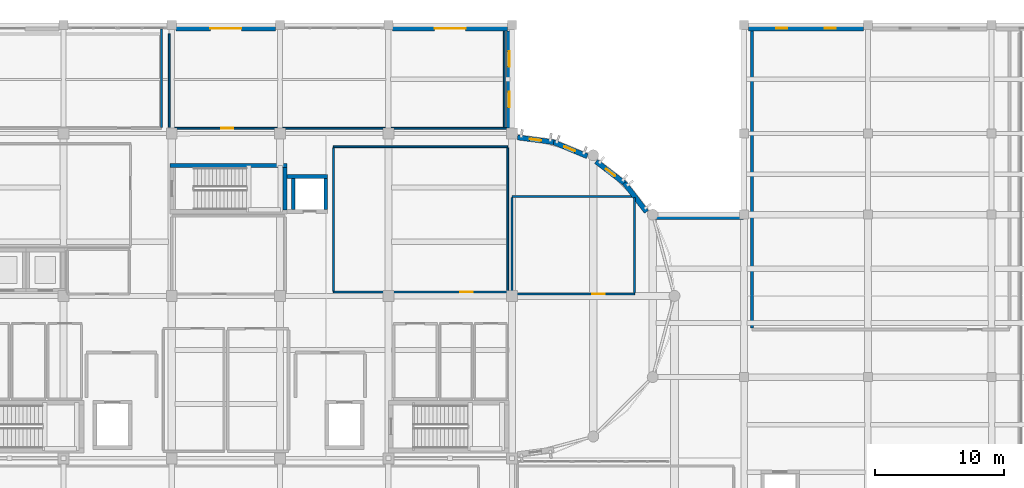
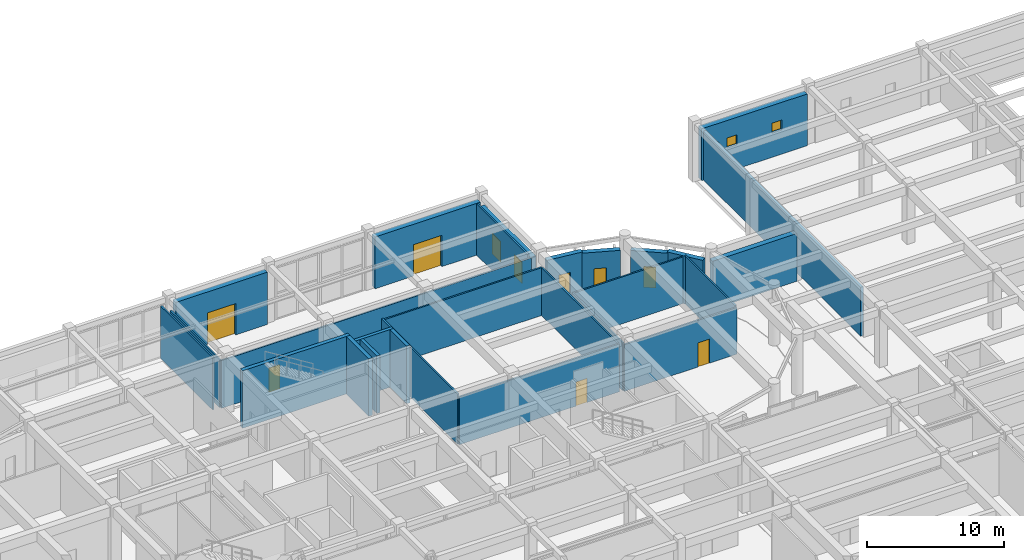
# One storey, part 75 of 98: 27 walls, 7 windows, 5 doors, 12 openings.
"""IFC4 building model written with IfcOpenShell, lengths in metres."""

from ifc_helpers import new_model, si_unit, direction, frame, frame_2d, origin, place, context, subcontext, project, spatial, rectangle, extrude, material, layer, layer_set, type_object, element, fill, save


model = new_model("IFC4")

# Units and contexts
model_context = context("Model", 3, precision=1e-05, world=origin(), true_north=direction((0.0, 1.0)))
body_context = subcontext(model_context, "Body", "Model", "MODEL_VIEW")
ifc_project = project(units=[si_unit("LENGTHUNIT", "METRE"), si_unit("AREAUNIT", "SQUARE_METRE"), si_unit("VOLUMEUNIT", "CUBIC_METRE"), si_unit("PLANEANGLEUNIT", "RADIAN"), si_unit("MASSUNIT", "GRAM", prefix="KILO")], contexts=[model_context])

# Site, building, storey
site_placement = place(None, origin())
site = spatial("IfcSite", under=ifc_project, at=site_placement, CompositionType="ELEMENT")
building_placement = place(site_placement, origin())
building = spatial("IfcBuilding", under=site, at=building_placement, Name="Tarnavel Promenade Courthouse", CompositionType="ELEMENT")
storey_placement = place(building_placement, origin())
storey = spatial("IfcBuildingStorey", under=building, at=storey_placement, Name="L01", CompositionType="ELEMENT", Elevation=0.0)

# Wall, openings, windows
ifc_material_1 = material(Name="Concrete C40/50", Category="concrete")
ifc_layer_1 = layer(ifc_material_1, 0.4599609375)
ifc_layer_set_1 = layer_set([ifc_layer_1], Name="Concrete C40/50")
wall_type_1 = type_object("IfcWallType", Name="Concrete C40/50 WL-SEC-460 (460 mm)", PredefinedType="STANDARD", material=ifc_layer_set_1)
wall_1_placement = place(storey_placement, frame((120.3369140625, 112.56005859375, 0.0), z_axis=(0.0, 0.0, 1.0), x_axis=(1.0, 0.0, 0.0)))
wall_1 = element("IfcWall", 1, at=wall_1_placement, inside=storey, type_object=wall_type_1, Name="L01 Custody Block North Security Wall 0403", PredefinedType="STANDARD", context=body_context, shape_type="SweptSolid", body=[
    extrude(rectangle(XDim=8.921142578125, YDim=0.4599609375, at=frame_2d((4.46044921875, 0.0))), origin(), (0.0, 0.0, 1.0), 4.6201171875),
])
opening_1_placement = place(wall_1_placement, frame((2.153076171875, 0.0, 2.14990234375)))
opening_1 = element("IfcOpeningElement", 2, at=opening_1_placement, cuts=wall_1, Name="Opening W-11", PredefinedType="OPENING", context=body_context, shape_type="SweptSolid", body=[
    extrude(rectangle(XDim=0.85009765625, YDim=0.89990234375, at=frame_2d((0.425048828125, 0.449951171875))), frame((0.0, 0.239990234375, 0.0), z_axis=(0.0, -1.0, 0.0), x_axis=(1.0, 0.0, 0.0)), (0.0, 0.0, 1.0), 0.47998046875),
])
opening_2_placement = place(wall_1_placement, frame((5.923095703125, 0.0, 2.14990234375)))
opening_2 = element("IfcOpeningElement", 3, at=opening_2_placement, cuts=wall_1, Name="Opening W-11", PredefinedType="OPENING", context=body_context, shape_type="SweptSolid", body=[
    extrude(rectangle(XDim=0.85009765625, YDim=0.89990234375, at=frame_2d((0.425048828125, 0.449951171875))), frame((0.0, 0.239990234375, 0.0), z_axis=(0.0, -1.0, 0.0), x_axis=(1.0, 0.0, 0.0)), (0.0, 0.0, 1.0), 0.47998046875),
])
ifc_material_2 = material(Name="Triple Low-E Glazed Bronze-Clad Window Assembly")
window_type_1 = type_object("IfcWindowType", Name="Triple-Glazed Bronze-Clad Timber-Aluminium WIN-CUS-0850x0900", PartitioningType="SINGLE_PANEL", PredefinedType="WINDOW", material=ifc_material_2)
window_1_placement = place(opening_1_placement, origin())
window_1 = element("IfcWindow", 4, at=window_1_placement, inside=storey, type_object=window_type_1, Name="L01 Exterior Window 0491", OverallHeight=0.89990234375, OverallWidth=0.85009765625, PartitioningType="SINGLE_PANEL", PredefinedType="WINDOW", context=body_context, shape_type="SweptSolid", body=[
    extrude(rectangle(XDim=0.85009765625, YDim=0.89990234375, at=frame_2d((0.425048828125, 0.449951171875))), frame((0.0, 0.030029296875, 0.0), z_axis=(0.0, -1.0, 0.0), x_axis=(1.0, 0.0, 0.0)), (0.0, 0.0, 1.0), 0.06005859375),
])
fill(opening_1, window_1)
window_2_placement = place(opening_2_placement, origin())
window_2 = element("IfcWindow", 5, at=window_2_placement, inside=storey, type_object=window_type_1, Name="L01 Exterior Window 0492", OverallHeight=0.89990234375, OverallWidth=0.85009765625, PartitioningType="SINGLE_PANEL", PredefinedType="WINDOW", context=body_context, shape_type="SweptSolid", body=[
    extrude(rectangle(XDim=0.85009765625, YDim=0.89990234375, at=frame_2d((0.425048828125, 0.449951171875))), frame((0.0, 0.030029296875, 0.0), z_axis=(0.0, -1.0, 0.0), x_axis=(1.0, 0.0, 0.0)), (0.0, 0.0, 1.0), 0.06005859375),
])
fill(opening_2, window_2)

# Walls
ifc_layer_2 = layer(ifc_material_1, 0.280029296875)
ifc_layer_set_2 = layer_set([ifc_layer_2], Name="Concrete C40/50")
wall_type_2 = type_object("IfcWallType", Name="Concrete C40/50 WL-SHR-280 (280 mm)", PredefinedType="SHEAR", material=ifc_layer_set_2)
wall_2_placement = place(storey_placement, frame((84.5400390625, 101.06005859375, 0.0), z_axis=(0.0, 0.0, 1.0), x_axis=(1.0, 0.0, 0.0)))
element("IfcWall", 6, at=wall_2_placement, inside=storey, type_object=wall_type_2, Name="L01 L-JUD1 Lift Shaft North Wall", PredefinedType="SHEAR", context=body_context, shape_type="SweptSolid", body=[
    extrude(rectangle(XDim=3.159912109375, YDim=0.280029296875, at=frame_2d((1.580078125, 0.0))), origin(), (0.0, 0.0, 1.0), 5.139892578125),
])
for number, where, z_axis, x_axis, name in (
    (7, (85.0400390625, 98.47998046875, 0.0), (0.0, 0.0, 1.0), (0.0, 1.0, 0.0), "L01 L-JUD1 Lift Shaft West Wall"),
    (8, (87.56005859375, 100.919921875, 0.0), (0.0, 0.0, 1.0), (0.0, -1.0, 0.0), "L01 L-JUD1 Lift Shaft East Wall"),
):
    element("IfcWall", number, at=place(storey_placement, frame(where, z_axis=z_axis, x_axis=x_axis)), inside=storey, type_object=wall_type_2, Name=name, PredefinedType="SHEAR", context=body_context, shape_type="SweptSolid", body=[
        extrude(rectangle(XDim=2.43994140625, YDim=0.280029296875, at=frame_2d((1.219970703125, 0.0))), origin(), (0.0, 0.0, 1.0), 5.139892578125),
    ])
ifc_layer_3 = layer(ifc_material_1, 0.320068359375)
ifc_layer_set_3 = layer_set([ifc_layer_3], Name="Concrete C40/50")
wall_type_3 = type_object("IfcWallType", Name="Concrete C40/50 WL-SHR-320 (320 mm)", PredefinedType="SHEAR", material=ifc_layer_set_3)
wall_3_placement = place(storey_placement, frame((75.4599609375, 101.919921875, 0.0), z_axis=(0.0, 0.0, 1.0), x_axis=(1.0, 0.0, 0.0)))
element("IfcWall", 9, at=wall_3_placement, inside=storey, type_object=wall_type_3, Name="L01 ST-03 Shear Core North Wall", PredefinedType="SHEAR", context=body_context, shape_type="SweptSolid", body=[
    extrude(rectangle(XDim=9.080078125, YDim=0.320068359375, at=frame_2d((4.5400390625, 0.0))), origin(), (0.0, 0.0, 1.0), 5.139892578125),
])
wall_4_placement = place(storey_placement, frame((84.3798828125, 101.760009765625, 0.0), z_axis=(0.0, 0.0, 1.0), x_axis=(0.0, -1.0, 0.0)))
element("IfcWall", 10, at=wall_4_placement, inside=storey, type_object=wall_type_3, Name="L01 ST-03 Shear Core East Wall", PredefinedType="SHEAR", context=body_context, shape_type="SweptSolid", body=[
    extrude(rectangle(XDim=3.280029296875, YDim=0.320068359375, at=frame_2d((1.64013671875, 0.0))), origin(), (0.0, 0.0, 1.0), 5.139892578125),
])
ifc_material_3 = material(Name="Concrete Masonry Fire Compartment Wall", Category="masonry")
ifc_layer_4 = layer(ifc_material_3, 0.22998046875)
ifc_layer_set_4 = layer_set([ifc_layer_4], Name="Concrete Masonry Fire Compartment Wall")
wall_type_4 = type_object("IfcWallType", Name="Concrete Masonry Fire Compartment Wall WL-CMP-230 (230 mm)", PredefinedType="STANDARD", material=ifc_layer_set_4)
wall_5_placement = place(storey_placement, frame((120.60009765625, 89.324951171875, 0.0), z_axis=(0.0, 0.0, 1.0), x_axis=(0.0, 1.0, 0.0)))
element("IfcWall", 11, at=wall_5_placement, inside=storey, type_object=wall_type_4, Name="L01 Custody Medical Screening and Marshals' Station Partition 0214", PredefinedType="STANDARD", context=body_context, shape_type="SweptSolid", body=[
    extrude(rectangle(XDim=23.010986328125, YDim=0.22998046875, at=frame_2d((11.50537109375, 0.0))), origin(), (0.0, 0.0, 1.0), 4.3701171875),
])

# Wall, opening, door
ifc_material_4 = material(Name="Limestone Ashlar Faced Insulated Brick Masonry", Category="masonry")
ifc_layer_5 = layer(ifc_material_4, 0.43994140625)
ifc_layer_set_5 = layer_set([ifc_layer_5], Name="Limestone Ashlar Faced Insulated Brick Masonry")
wall_type_5 = type_object("IfcWallType", Name="Limestone Ashlar Faced Insulated Brick Masonry WL-EXT-440 (440 mm)", PredefinedType="STANDARD", material=ifc_layer_set_5)
wall_6_placement = place(storey_placement, frame((75.93701171875, 112.550048828125, 0.0), z_axis=(0.0, 0.0, 1.0), x_axis=(1.0, 0.0, 0.0)))
wall_6 = element("IfcWall", 12, at=wall_6_placement, inside=storey, type_object=wall_type_5, Name="L01 North Civic Avenue Portal Wall 4 0020", PredefinedType="STANDARD", context=body_context, shape_type="SweptSolid", body=[
    extrude(rectangle(XDim=7.72607421875, YDim=0.43994140625, at=frame_2d((3.863037109375, 0.0))), origin(), (0.0, 0.0, 1.0), 4.669921875),
])
opening_3_placement = place(wall_6_placement, frame((2.6630859375, 0.0, 0.0)))
opening_3 = element("IfcOpeningElement", 13, at=opening_3_placement, cuts=wall_6, Name="Opening ED-01", PredefinedType="OPENING", context=body_context, shape_type="SweptSolid", body=[
    extrude(rectangle(XDim=2.39990234375, YDim=2.800048828125, at=frame_2d((1.199951171875, 1.39990234375))), frame((0.0, 0.22998046875, 0.0), z_axis=(0.0, -1.0, 0.0), x_axis=(1.0, 0.0, 0.0)), (0.0, 0.0, 1.0), 0.4599609375),
])
ifc_material_5 = material(Name="Bronze-Clad Insulated Civic Portal Double Door")
door_type_1 = type_object("IfcDoorType", Name="Bronze-Clad Insulated Civic Portal Double Door (ED-PORTAL-2400x2800)", OperationType="NOTDEFINED", PredefinedType="DOOR", material=ifc_material_5)
door_1_placement = place(opening_3_placement, origin())
door_1 = element("IfcDoor", 14, at=door_1_placement, inside=storey, type_object=door_type_1, Name="North Civic Avenue Entrance Door 4", OperationType="DOUBLE_DOOR_SINGLE_SWING", OverallHeight=2.800048828125, OverallWidth=2.39990234375, PredefinedType="DOOR", context=body_context, shape_type="SweptSolid", body=[
    extrude(rectangle(XDim=2.39990234375, YDim=2.800048828125, at=frame_2d((1.199951171875, 1.39990234375))), frame((0.0, 0.02490234375, 0.0), z_axis=(0.0, -1.0, 0.0), x_axis=(1.0, 0.0, 0.0)), (0.0, 0.0, 1.0), 0.050048828125),
])
fill(opening_3, door_1)

wall_7_placement = place(storey_placement, frame((92.741943359375, 112.550048828125, 0.0), z_axis=(0.0, 0.0, 1.0), x_axis=(1.0, 0.0, 0.0)))
wall_7 = element("IfcWall", 15, at=wall_7_placement, inside=storey, type_object=wall_type_5, Name="L01 North Civic Avenue Portal Wall 6 0021", PredefinedType="STANDARD", context=body_context, shape_type="SweptSolid", body=[
    extrude(rectangle(XDim=8.921142578125, YDim=0.43994140625, at=frame_2d((4.46044921875, 0.0))), origin(), (0.0, 0.0, 1.0), 4.6201171875),
])
opening_4_placement = place(wall_7_placement, frame((3.258056640625, 0.0, 0.0)))
opening_4 = element("IfcOpeningElement", 16, at=opening_4_placement, cuts=wall_7, Name="Opening ED-01", PredefinedType="OPENING", context=body_context, shape_type="SweptSolid", body=[
    extrude(rectangle(XDim=2.39990234375, YDim=2.800048828125, at=frame_2d((1.199951171875, 1.39990234375))), frame((0.0, 0.22998046875, 0.0), z_axis=(0.0, -1.0, 0.0), x_axis=(1.0, 0.0, 0.0)), (0.0, 0.0, 1.0), 0.4599609375),
])
door_2_placement = place(opening_4_placement, origin())
door_2 = element("IfcDoor", 17, at=door_2_placement, inside=storey, type_object=door_type_1, Name="North Civic Avenue Entrance Door 6", OperationType="DOUBLE_DOOR_SINGLE_SWING", OverallHeight=2.800048828125, OverallWidth=2.39990234375, PredefinedType="DOOR", context=body_context, shape_type="SweptSolid", body=[
    extrude(rectangle(XDim=2.39990234375, YDim=2.800048828125, at=frame_2d((1.199951171875, 1.39990234375))), frame((0.0, 0.02490234375, 0.0), z_axis=(0.0, -1.0, 0.0), x_axis=(1.0, 0.0, 0.0)), (0.0, 0.0, 1.0), 0.050048828125),
])
fill(opening_4, door_2)

# Wall, openings, windows
wall_8_placement = place(storey_placement, frame((101.780029296875, 112.337890625, 0.0), z_axis=(0.0, 0.0, 1.0), x_axis=(0.0, -1.0, 0.0)))
wall_8 = element("IfcWall", 18, at=wall_8_placement, inside=storey, type_object=wall_type_5, Name="L01 North Foyer East Return Wall 0024", PredefinedType="STANDARD", context=body_context, shape_type="SweptSolid", body=[
    extrude(rectangle(XDim=7.52099609375, YDim=0.43994140625, at=frame_2d((3.760498046875, 0.0))), origin(), (0.0, 0.0, 1.0), 4.27001953125),
])
opening_5_placement = place(wall_8_placement, frame((1.56298828125, 0.0, 0.89990234375)))
opening_5 = element("IfcOpeningElement", 19, at=opening_5_placement, cuts=wall_8, Name="Opening W-05", PredefinedType="OPENING", context=body_context, shape_type="SweptSolid", body=[
    extrude(rectangle(XDim=1.199951171875, YDim=1.85009765625, at=frame_2d((0.60009765625, 0.925048828125))), frame((0.0, 0.22998046875, 0.0), z_axis=(0.0, -1.0, 0.0), x_axis=(1.0, 0.0, 0.0)), (0.0, 0.0, 1.0), 0.4599609375),
])
opening_6_placement = place(wall_8_placement, frame((4.712890625, 0.0, 0.89990234375)))
opening_6 = element("IfcOpeningElement", 20, at=opening_6_placement, cuts=wall_8, Name="Opening W-05", PredefinedType="OPENING", context=body_context, shape_type="SweptSolid", body=[
    extrude(rectangle(XDim=1.199951171875, YDim=1.85009765625, at=frame_2d((0.60009765625, 0.925048828125))), frame((0.0, 0.22998046875, 0.0), z_axis=(0.0, -1.0, 0.0), x_axis=(1.0, 0.0, 0.0)), (0.0, 0.0, 1.0), 0.4599609375),
])
window_type_2 = type_object("IfcWindowType", Name="Triple-Glazed Bronze-Clad Timber-Aluminium WIN-CHM-1200x1850", PartitioningType="SINGLE_PANEL", PredefinedType="WINDOW", material=ifc_material_2)
window_3_placement = place(opening_5_placement, origin())
window_3 = element("IfcWindow", 21, at=window_3_placement, inside=storey, type_object=window_type_2, Name="L01 Exterior Window 0003", OverallHeight=1.85009765625, OverallWidth=1.199951171875, PartitioningType="SINGLE_PANEL", PredefinedType="WINDOW", context=body_context, shape_type="SweptSolid", body=[
    extrude(rectangle(XDim=1.199951171875, YDim=1.85009765625, at=frame_2d((0.60009765625, 0.925048828125))), frame((0.0, 0.030029296875, 0.0), z_axis=(0.0, -1.0, 0.0), x_axis=(1.0, 0.0, 0.0)), (0.0, 0.0, 1.0), 0.06005859375),
])
fill(opening_5, window_3)
window_4_placement = place(opening_6_placement, origin())
window_4 = element("IfcWindow", 22, at=window_4_placement, inside=storey, type_object=window_type_2, Name="L01 Exterior Window 0004", OverallHeight=1.85009765625, OverallWidth=1.199951171875, PartitioningType="SINGLE_PANEL", PredefinedType="WINDOW", context=body_context, shape_type="SweptSolid", body=[
    extrude(rectangle(XDim=1.199951171875, YDim=1.85009765625, at=frame_2d((0.60009765625, 0.925048828125))), frame((0.0, 0.030029296875, 0.0), z_axis=(0.0, -1.0, 0.0), x_axis=(1.0, 0.0, 0.0)), (0.0, 0.0, 1.0), 0.06005859375),
])
fill(opening_6, window_4)

# Walls
wall_9_placement = place(storey_placement, frame((112.85009765625, 97.949951171875, 0.0), z_axis=(0.0, 0.0, 1.0), x_axis=(1.0, 0.0, 0.0)))
element("IfcWall", 23, at=wall_9_placement, inside=storey, type_object=wall_type_5, Name="L01 East Custody Link Neck North Wall 0436", PredefinedType="STANDARD", context=body_context, shape_type="SweptSolid", body=[
    extrude(rectangle(XDim=7.099853515625, YDim=0.43994140625, at=frame_2d((3.5498046875, 0.0))), origin(), (0.0, 0.0, 1.0), 4.27001953125),
])
ifc_material_6 = material(Name="Metal-Stud Acoustic Gypsum Partition", Category="gypsum")
ifc_layer_6 = layer(ifc_material_6, 0.135009765625)
ifc_layer_set_6 = layer_set([ifc_layer_6], Name="Metal-Stud Acoustic Gypsum Partition")
wall_type_6 = type_object("IfcWallType", Name="Metal-Stud Acoustic Gypsum Partition WL-OFF-135 (135 mm)", PredefinedType="PARTITIONING", material=ifc_layer_set_6)
wall_10_placement = place(storey_placement, frame((74.800048828125, 112.489990234375, 0.0), z_axis=(0.0, 0.0, 1.0), x_axis=(0.0, -1.0, 0.0)))
element("IfcWall", 24, at=wall_10_placement, inside=storey, type_object=wall_type_6, Name="L01 North Civic Avenue Entrance Vestibule Partition 0194", PredefinedType="PARTITIONING", context=body_context, shape_type="SweptSolid", body=[
    extrude(rectangle(XDim=7.612548828125, YDim=0.135009765625, at=frame_2d((3.80615234375, 0.0))), origin(), (0.0, 0.0, 1.0), 4.669921875),
])

# Wall, opening, door
wall_11_placement = place(storey_placement, frame((101.56591796875, 104.800048828125, 0.0), z_axis=(0.0, 0.0, 1.0), x_axis=(-1.0, 0.0, 0.0)))
wall_11 = element("IfcWall", 25, at=wall_11_placement, inside=storey, type_object=wall_type_6, Name="L01 Public Ombudsman and Citizen Service Desk Partition 0195", PredefinedType="PARTITIONING", context=body_context, shape_type="SweptSolid", body=[
    extrude(rectangle(XDim=26.166015625, YDim=0.135009765625, at=frame_2d((13.0830078125, 0.0))), origin(), (0.0, 0.0, 1.0), 4.27001953125),
])
opening_7_placement = place(wall_11_placement, frame((21.188720703125, 0.0, 0.0)))
opening_7 = element("IfcOpeningElement", 26, at=opening_7_placement, cuts=wall_11, Name="Opening ID-06", PredefinedType="OPENING", context=body_context, shape_type="SweptSolid", body=[
    extrude(rectangle(XDim=0.949951171875, YDim=2.14990234375, at=frame_2d((0.47509765625, 1.074951171875))), frame((0.0, 0.077392578125, 0.0), z_axis=(0.0, -1.0, 0.0), x_axis=(1.0, 0.0, 0.0)), (0.0, 0.0, 1.0), 0.155029296875),
])
ifc_material_7 = material(Name="Acoustic Timber Veneer Office Door", Category="wood")
door_type_2 = type_object("IfcDoorType", Name="Acoustic Timber Veneer Office Door (DR-OFF-0950x2150)", OperationType="NOTDEFINED", PredefinedType="DOOR", material=ifc_material_7)
door_3_placement = place(opening_7_placement, origin())
door_3 = element("IfcDoor", 27, at=door_3_placement, inside=storey, type_object=door_type_2, Name="L01 Public Ombudsman and Citizen Service Desk Door 0056", OperationType="SINGLE_SWING_LEFT", OverallHeight=2.14990234375, OverallWidth=0.949951171875, PredefinedType="DOOR", context=body_context, shape_type="SweptSolid", body=[
    extrude(rectangle(XDim=0.949951171875, YDim=2.14990234375, at=frame_2d((0.47509765625, 1.074951171875))), frame((0.0, 0.02490234375, 0.0), z_axis=(0.0, -1.0, 0.0), x_axis=(1.0, 0.0, 0.0)), (0.0, 0.0, 1.0), 0.050048828125),
])
fill(opening_7, door_3)

# Walls
wall_12_placement = place(storey_placement, frame((75.39990234375, 104.87744140625, 0.0), z_axis=(0.0, 0.0, 1.0), x_axis=(0.0, 1.0, 0.0)))
element("IfcWall", 28, at=wall_12_placement, inside=storey, type_object=wall_type_6, Name="L01 Public Ombudsman and Citizen Service Desk Partition 0196", PredefinedType="PARTITIONING", context=body_context, shape_type="SweptSolid", body=[
    extrude(rectangle(XDim=7.2451171875, YDim=0.135009765625, at=frame_2d((3.62255859375, 0.0))), origin(), (0.0, 0.0, 1.0), 4.27001953125),
])
wall_13_placement = place(storey_placement, frame((101.39990234375, 112.3359375, 0.0), z_axis=(0.0, 0.0, 1.0), x_axis=(0.0, -1.0, 0.0)))
element("IfcWall", 29, at=wall_13_placement, inside=storey, type_object=wall_type_6, Name="L01 Public Ombudsman and Citizen Service Desk Partition 0197", PredefinedType="PARTITIONING", context=body_context, shape_type="SweptSolid", body=[
    extrude(rectangle(XDim=7.45849609375, YDim=0.135009765625, at=frame_2d((3.729248046875, 0.0))), origin(), (0.0, 0.0, 1.0), 4.570068359375),
])
wall_14_placement = place(storey_placement, frame((88.139892578125, 103.360107421875, 0.0), z_axis=(0.0, 0.0, 1.0), x_axis=(1.0, 0.0, 0.0)))
element("IfcWall", 30, at=wall_14_placement, inside=storey, type_object=wall_type_6, Name="L01 Summons and Bailiffs' Registry Partition 0228", PredefinedType="PARTITIONING", context=body_context, shape_type="SweptSolid", body=[
    extrude(rectangle(XDim=13.52001953125, YDim=0.135009765625, at=frame_2d((6.760009765625, 0.0))), origin(), (0.0, 0.0, 1.0), 4.27001953125),
])

# Wall, opening, door
wall_15_placement = place(storey_placement, frame((101.659912109375, 92.090087890625, 0.0), z_axis=(0.0, 0.0, 1.0), x_axis=(-1.0, 0.0, 0.0)))
wall_15 = element("IfcWall", 31, at=wall_15_placement, inside=storey, type_object=wall_type_6, Name="L01 Summons and Bailiffs' Registry Partition 0229", PredefinedType="PARTITIONING", context=body_context, shape_type="SweptSolid", body=[
    extrude(rectangle(XDim=13.52001953125, YDim=0.135009765625, at=frame_2d((6.760009765625, 0.0))), origin(), (0.0, 0.0, 1.0), 4.27001953125),
])
opening_8_placement = place(wall_15_placement, frame((2.72412109375, 0.0, 0.0)))
opening_8 = element("IfcOpeningElement", 32, at=opening_8_placement, cuts=wall_15, Name="Opening ID-06", PredefinedType="OPENING", context=body_context, shape_type="SweptSolid", body=[
    extrude(rectangle(XDim=0.949951171875, YDim=2.14990234375, at=frame_2d((0.47509765625, 1.074951171875))), frame((0.0, 0.077392578125, 0.0), z_axis=(0.0, -1.0, 0.0), x_axis=(1.0, 0.0, 0.0)), (0.0, 0.0, 1.0), 0.155029296875),
])
door_4_placement = place(opening_8_placement, origin())
door_4 = element("IfcDoor", 33, at=door_4_placement, inside=storey, type_object=door_type_2, Name="L01 Summons and Bailiffs' Registry Door 0066", OperationType="SINGLE_SWING_RIGHT", OverallHeight=2.14990234375, OverallWidth=0.949951171875, PredefinedType="DOOR", context=body_context, shape_type="SweptSolid", body=[
    extrude(rectangle(XDim=0.949951171875, YDim=2.14990234375, at=frame_2d((0.47509765625, 1.074951171875))), frame((0.0, 0.02490234375, 0.0), z_axis=(0.0, -1.0, 0.0), x_axis=(1.0, 0.0, 0.0)), (0.0, 0.0, 1.0), 0.050048828125),
])
fill(opening_8, door_4)

# Walls
wall_16_placement = place(storey_placement, frame((88.139892578125, 92.16748046875, 0.0), z_axis=(0.0, 0.0, 1.0), x_axis=(0.0, 1.0, 0.0)))
element("IfcWall", 34, at=wall_16_placement, inside=storey, type_object=wall_type_6, Name="L01 Summons and Bailiffs' Registry Partition 0230", PredefinedType="PARTITIONING", context=body_context, shape_type="SweptSolid", body=[
    extrude(rectangle(XDim=11.114990234375, YDim=0.135009765625, at=frame_2d((5.5576171875, 0.0))), origin(), (0.0, 0.0, 1.0), 4.469970703125),
])
wall_17_placement = place(storey_placement, frame((101.659912109375, 103.282470703125, 0.0), z_axis=(0.0, 0.0, 1.0), x_axis=(0.0, -1.0, 0.0)))
element("IfcWall", 35, at=wall_17_placement, inside=storey, type_object=wall_type_6, Name="L01 Summons and Bailiffs' Registry Partition 0231", PredefinedType="PARTITIONING", context=body_context, shape_type="SweptSolid", body=[
    extrude(rectangle(XDim=11.114990234375, YDim=0.135009765625, at=frame_2d((5.5576171875, 0.0))), origin(), (0.0, 0.0, 1.0), 4.27001953125),
])
wall_18_placement = place(storey_placement, frame((102.0, 99.5, 0.0), z_axis=(0.0, 0.0, 1.0), x_axis=(1.0, 0.0, 0.0)))
element("IfcWall", 36, at=wall_18_placement, inside=storey, type_object=wall_type_6, Name="L01 L01 East Drum Rotunda Office North Partition 0244", PredefinedType="PARTITIONING", context=body_context, shape_type="SweptSolid", body=[
    extrude(rectangle(XDim=9.5, YDim=0.135009765625, at=frame_2d((4.75, 0.0))), origin(), (0.0, 0.0, 1.0), 4.169921875),
])

# Wall, opening, door
wall_19_placement = place(storey_placement, frame((111.5, 91.949951171875, 0.0), z_axis=(0.0, 0.0, 1.0), x_axis=(-1.0, 0.0, 0.0)))
wall_19 = element("IfcWall", 37, at=wall_19_placement, inside=storey, type_object=wall_type_6, Name="L01 L01 East Drum Rotunda Office North Partition 0245", PredefinedType="PARTITIONING", context=body_context, shape_type="SweptSolid", body=[
    extrude(rectangle(XDim=9.5, YDim=0.135009765625, at=frame_2d((4.75, 0.0))), origin(), (0.0, 0.0, 1.0), 4.169921875),
])
opening_9_placement = place(wall_19_placement, frame((2.3125, 0.0, 0.0)))
opening_9 = element("IfcOpeningElement", 38, at=opening_9_placement, cuts=wall_19, Name="Opening ID-06", PredefinedType="OPENING", context=body_context, shape_type="SweptSolid", body=[
    extrude(rectangle(XDim=0.949951171875, YDim=2.14990234375, at=frame_2d((0.47509765625, 1.074951171875))), frame((0.0, 0.077392578125, 0.0), z_axis=(0.0, -1.0, 0.0), x_axis=(1.0, 0.0, 0.0)), (0.0, 0.0, 1.0), 0.155029296875),
])
door_5_placement = place(opening_9_placement, origin())
door_5 = element("IfcDoor", 39, at=door_5_placement, inside=storey, type_object=door_type_2, Name="L01 L01 East Drum Rotunda Office North Door 0070", OperationType="SINGLE_SWING_RIGHT", OverallHeight=2.14990234375, OverallWidth=0.949951171875, PredefinedType="DOOR", context=body_context, shape_type="SweptSolid", body=[
    extrude(rectangle(XDim=0.949951171875, YDim=2.14990234375, at=frame_2d((0.47509765625, 1.074951171875))), frame((0.0, 0.02490234375, 0.0), z_axis=(0.0, -1.0, 0.0), x_axis=(1.0, 0.0, 0.0)), (0.0, 0.0, 1.0), 0.050048828125),
])
fill(opening_9, door_5)

# Walls
for number, where, z_axis, x_axis, name in (
    (40, (102.0, 92.027587890625, 0.0), (0.0, 0.0, 1.0), (0.0, 1.0, 0.0), "L01 L01 East Drum Rotunda Office North Partition 0246"),
    (41, (111.5, 99.422607421875, 0.0), (0.0, 0.0, 1.0), (0.0, -1.0, 0.0), "L01 L01 East Drum Rotunda Office North Partition 0247"),
):
    element("IfcWall", number, at=place(storey_placement, frame(where, z_axis=z_axis, x_axis=x_axis)), inside=storey, type_object=wall_type_6, Name=name, PredefinedType="PARTITIONING", context=body_context, shape_type="SweptSolid", body=[
        extrude(rectangle(XDim=7.39501953125, YDim=0.135009765625, at=frame_2d((3.697509765625, 0.0))), origin(), (0.0, 0.0, 1.0), 4.27001953125),
    ])
ifc_material_8 = material(Name="Patinated Copper-Bronze Insulated Drum Wall Assembly", Category="masonry")
ifc_layer_7 = layer(ifc_material_8, 0.39501953125)
ifc_layer_set_7 = layer_set([ifc_layer_7], Name="Patinated Copper-Bronze Insulated Drum Wall Assembly")
wall_type_7 = type_object("IfcWallType", Name="Patinated Copper-Bronze Insulated Drum Wall Assembly WL-DRUM-395 (395 mm)", PredefinedType="ELEMENTEDWALL", material=ifc_layer_set_7)
wall_20_placement = place(storey_placement, frame((112.430419921875, 98.316650390625, 0.0), z_axis=(0.0, 0.0, 1.0), x_axis=(-0.608732750311, 0.793375345407, 0.0)))
element("IfcWall", 42, at=wall_20_placement, inside=storey, type_object=wall_type_7, Name="L01 E Copper Drum Chord Wall 09 0036", PredefinedType="ELEMENTEDWALL", context=body_context, shape_type="SweptSolid", body=[
    extrude(rectangle(XDim=2.82421875, YDim=0.39501953125, at=frame_2d((1.412109375, 0.0))), origin(), (0.0, 0.0, 1.0), 4.27001953125),
])

# Wall, opening, window
wall_21_placement = place(storey_placement, frame((110.75732421875, 100.51123046875, 0.0), z_axis=(0.0, 0.0, 1.0), x_axis=(-0.793375345407, 0.608732750311, 0.0)))
wall_21 = element("IfcWall", 43, at=wall_21_placement, inside=storey, type_object=wall_type_7, Name="L01 E Copper Drum Chord Wall 10 0037", PredefinedType="ELEMENTEDWALL", context=body_context, shape_type="SweptSolid", body=[
    extrude(rectangle(XDim=2.82421875, YDim=0.39501953125, at=frame_2d((1.412109375, 0.0))), origin(), (0.0, 0.0, 1.0), 4.169921875),
])
opening_10_placement = place(wall_21_placement, frame((0.962158203125, 0.0, 0.85009765625)))
opening_10 = element("IfcOpeningElement", 44, at=opening_10_placement, cuts=wall_21, Name="Opening W-08", PredefinedType="OPENING", context=body_context, shape_type="SweptSolid", body=[
    extrude(rectangle(XDim=0.89990234375, YDim=1.85009765625, at=frame_2d((0.449951171875, 0.925048828125))), frame((0.0, 0.20751953125, 0.0), z_axis=(0.0, -1.0, 0.0), x_axis=(1.0, 0.0, 0.0)), (0.0, 0.0, 1.0), 0.4150390625),
])
window_type_3 = type_object("IfcWindowType", Name="Triple-Glazed Bronze-Clad Timber-Aluminium WIN-DRM-0900x1850", PartitioningType="SINGLE_PANEL", PredefinedType="WINDOW", material=ifc_material_2)
window_5_placement = place(opening_10_placement, origin())
window_5 = element("IfcWindow", 45, at=window_5_placement, inside=storey, type_object=window_type_3, Name="L01 Exterior Window 0014", OverallHeight=1.85009765625, OverallWidth=0.89990234375, PartitioningType="SINGLE_PANEL", PredefinedType="WINDOW", context=body_context, shape_type="SweptSolid", body=[
    extrude(rectangle(XDim=0.89990234375, YDim=1.85009765625, at=frame_2d((0.449951171875, 0.925048828125))), frame((0.0, 0.030029296875, 0.0), z_axis=(0.0, -1.0, 0.0), x_axis=(1.0, 0.0, 0.0)), (0.0, 0.0, 1.0), 0.06005859375),
])
fill(opening_10, window_5)

wall_22_placement = place(storey_placement, frame((107.83740234375, 102.6328125, 0.0), z_axis=(0.0, 0.0, 1.0), x_axis=(-0.923854257916, 0.382744444937, 0.0)))
wall_22 = element("IfcWall", 46, at=wall_22_placement, inside=storey, type_object=wall_type_7, Name="L01 E Copper Drum Chord Wall 11 0038", PredefinedType="ELEMENTEDWALL", context=body_context, shape_type="SweptSolid", body=[
    extrude(rectangle(XDim=2.89208984375, YDim=0.39501953125, at=frame_2d((1.446044921875, 0.0))), origin(), (0.0, 0.0, 1.0), 4.169921875),
])
opening_11_placement = place(wall_22_placement, frame((1.030029296875, 0.0, 0.85009765625)))
opening_11 = element("IfcOpeningElement", 47, at=opening_11_placement, cuts=wall_22, Name="Opening W-08", PredefinedType="OPENING", context=body_context, shape_type="SweptSolid", body=[
    extrude(rectangle(XDim=0.89990234375, YDim=1.85009765625, at=frame_2d((0.449951171875, 0.925048828125))), frame((0.0, 0.20751953125, 0.0), z_axis=(0.0, -1.0, 0.0), x_axis=(1.0, 0.0, 0.0)), (0.0, 0.0, 1.0), 0.4150390625),
])
window_6_placement = place(opening_11_placement, origin())
window_6 = element("IfcWindow", 48, at=window_6_placement, inside=storey, type_object=window_type_3, Name="L01 Exterior Window 0015", OverallHeight=1.85009765625, OverallWidth=0.89990234375, PartitioningType="SINGLE_PANEL", PredefinedType="WINDOW", context=body_context, shape_type="SweptSolid", body=[
    extrude(rectangle(XDim=0.89990234375, YDim=1.85009765625, at=frame_2d((0.449951171875, 0.925048828125))), frame((0.0, 0.030029296875, 0.0), z_axis=(0.0, -1.0, 0.0), x_axis=(1.0, 0.0, 0.0)), (0.0, 0.0, 1.0), 0.06005859375),
])
fill(opening_11, window_6)

wall_23_placement = place(storey_placement, frame((105.228515625, 103.722900390625, 0.0), z_axis=(0.0, 0.0, 1.0), x_axis=(-0.991455178228, 0.130447803989, 0.0)))
wall_23 = element("IfcWall", 49, at=wall_23_placement, inside=storey, type_object=wall_type_7, Name="L01 E Copper Drum Chord Wall 12 0039", PredefinedType="ELEMENTEDWALL", context=body_context, shape_type="SweptSolid", body=[
    extrude(rectangle(XDim=2.82421875, YDim=0.39501953125, at=frame_2d((1.412109375, 0.0))), origin(), (0.0, 0.0, 1.0), 4.27001953125),
])
opening_12_placement = place(wall_23_placement, frame((0.962158203125, 0.0, 0.85009765625)))
opening_12 = element("IfcOpeningElement", 50, at=opening_12_placement, cuts=wall_23, Name="Opening W-08", PredefinedType="OPENING", context=body_context, shape_type="SweptSolid", body=[
    extrude(rectangle(XDim=0.89990234375, YDim=1.85009765625, at=frame_2d((0.449951171875, 0.925048828125))), frame((0.0, 0.20751953125, 0.0), z_axis=(0.0, -1.0, 0.0), x_axis=(1.0, 0.0, 0.0)), (0.0, 0.0, 1.0), 0.4150390625),
])
window_7_placement = place(opening_12_placement, origin())
window_7 = element("IfcWindow", 51, at=window_7_placement, inside=storey, type_object=window_type_3, Name="L01 Exterior Window 0016", OverallHeight=1.85009765625, OverallWidth=0.89990234375, PartitioningType="SINGLE_PANEL", PredefinedType="WINDOW", context=body_context, shape_type="SweptSolid", body=[
    extrude(rectangle(XDim=0.89990234375, YDim=1.85009765625, at=frame_2d((0.449951171875, 0.925048828125))), frame((0.0, 0.030029296875, 0.0), z_axis=(0.0, -1.0, 0.0), x_axis=(1.0, 0.0, 0.0)), (0.0, 0.0, 1.0), 0.06005859375),
])
fill(opening_12, window_7)

save(model, "model.ifc")
